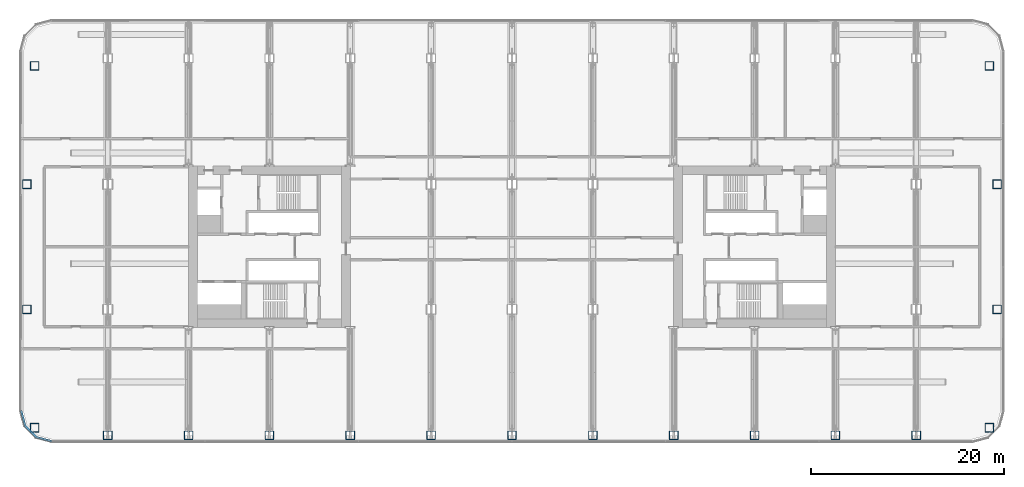
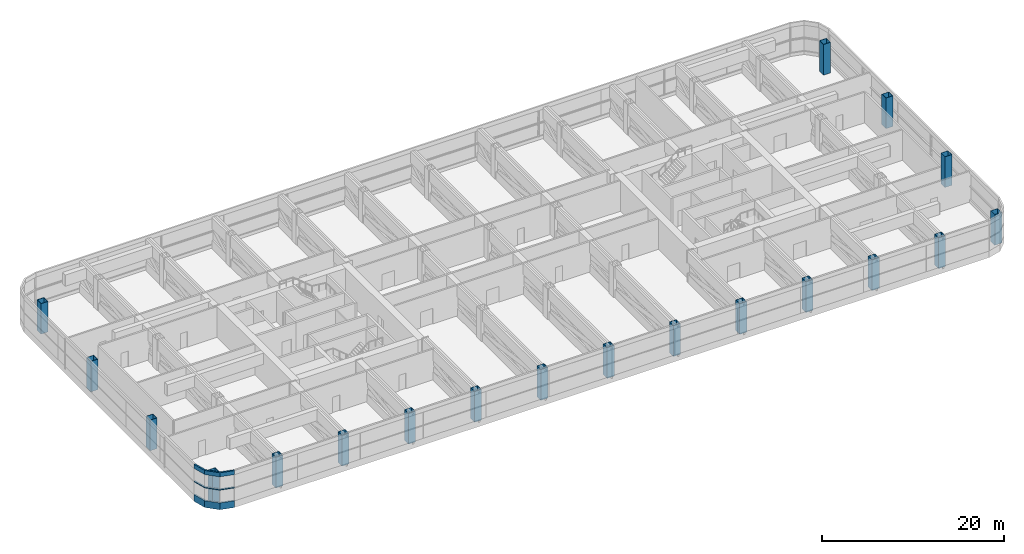
# One storey, part 1 of 30: 19 columns, 3 members, 1 element without a shape of its own.
"""IFC4 building model written with IfcOpenShell, lengths in metres."""

from ifc_helpers import new_model, si_unit, direction, frame, origin, origin_2d, place, context, subcontext, project, spatial, polyline, rectangle, hollow_rectangle, outline, extrude, material, layer, layer_set, material_profile, profile_set, type_object, element, aggregate, save


model = new_model("IFC4")

# Units and contexts
model_context = context("Model", 3, precision=1e-05, world=origin(), true_north=direction((0.0, 1.0)))
body_context = subcontext(model_context, "Body", "Model", "MODEL_VIEW")
ifc_project = project(units=[si_unit("LENGTHUNIT", "METRE"), si_unit("AREAUNIT", "SQUARE_METRE"), si_unit("VOLUMEUNIT", "CUBIC_METRE"), si_unit("PLANEANGLEUNIT", "RADIAN"), si_unit("MASSUNIT", "GRAM", prefix="KILO")], contexts=[model_context])

# Site, building, storey
site_placement = place(None, origin())
site = spatial("IfcSite", under=ifc_project, at=site_placement, CompositionType="ELEMENT")
building_placement = place(site_placement, origin())
building = spatial("IfcBuilding", under=site, at=building_placement, Name="Hakoniwa Tower and Hamabe Station Hall", CompositionType="ELEMENT")
storey_placement = place(building_placement, frame((0.0, 0.0, 64.60009765625)))
storey = spatial("IfcBuildingStorey", under=building, at=storey_placement, Name="L18", CompositionType="ELEMENT", Elevation=64.60009765625)

# Columns
ifc_material_1 = material(Name="Steel SN490C", Category="steel")
ifc_material_profile_1 = material_profile(ifc_material_1, hollow_rectangle(XDim=0.89990234375, YDim=0.89990234375, WallThickness=0.035888671875, at=origin_2d()), Name="BX-900x900x36")
ifc_profile_set_1 = profile_set([ifc_material_profile_1], Name="Steel SN490C")
column_type = type_object("IfcColumnType", Name="COLUMN BX-900x900x36", PredefinedType="COLUMN", material=ifc_profile_set_1)
for number, where, z_axis, x_axis, name in (
    (1, (-49.60302734375, -18.802978515625, 0.0), (0.0, 0.0, 1.0), (1.0, 0.0, 0.0), "Column B1-1-A1"),
    (2, (-50.39990234375, -6.5, 0.0), (0.0, 0.0, 1.0), (1.0, 0.0, 0.0), "Column B1-1-C1"),
    (3, (-50.39990234375, 6.5, 0.0), (0.0, 0.0, 1.0), (1.0, 0.0, 0.0), "Column B1-1-E1"),
    (4, (-49.60302734375, 18.802978515625, 0.0), (0.0, 0.0, 1.0), (1.0, 0.0, 0.0), "Column B1-1-G1"),
    (5, (-42.0, -19.60009765625, 0.0), (0.0, 0.0, 1.0), (1.0, 0.0, 0.0), "Column B1-2-A1"),
    (6, (-33.60009765625, -19.60009765625, 0.0), (0.0, 0.0, 1.0), (1.0, 0.0, 0.0), "Column B1-3-A1"),
    (7, (-25.199951171875, -19.60009765625, 0.0), (0.0, 0.0, 1.0), (1.0, 0.0, 0.0), "Column B1-4-A1"),
    (8, (-16.800048828125, -19.60009765625, 0.0), (0.0, 0.0, 1.0), (1.0, 0.0, 0.0), "Column B1-5-A1"),
    (9, (-8.39990234375, -19.60009765625, 0.0), (0.0, 0.0, 1.0), (1.0, 0.0, 0.0), "Column B1-6-A1"),
    (10, (0.0, -19.60009765625, 0.0), (0.0, 0.0, 1.0), (1.0, 0.0, 0.0), "Column B1-7-A1"),
    (11, (8.39990234375, -19.60009765625, 0.0), (0.0, 0.0, 1.0), (1.0, 0.0, 0.0), "Column B1-8-A1"),
    (12, (16.800048828125, -19.60009765625, 0.0), (0.0, 0.0, 1.0), (1.0, 0.0, 0.0), "Column B1-9-A1"),
    (13, (25.199951171875, -19.60009765625, 0.0), (0.0, 0.0, 1.0), (1.0, 0.0, 0.0), "Column B1-10-A1"),
    (14, (33.60009765625, -19.60009765625, 0.0), (0.0, 0.0, 1.0), (1.0, 0.0, 0.0), "Column B1-11-A1"),
    (15, (42.0, -19.60009765625, 0.0), (0.0, 0.0, 1.0), (1.0, 0.0, 0.0), "Column B1-12-A1"),
    (16, (49.60302734375, -18.802978515625, 0.0), (0.0, 0.0, 1.0), (1.0, 0.0, 0.0), "Column B1-13-A1"),
    (17, (50.39990234375, -6.5, 0.0), (0.0, 0.0, 1.0), (1.0, 0.0, 0.0), "Column B1-13-C1"),
    (18, (50.39990234375, 6.5, 0.0), (0.0, 0.0, 1.0), (1.0, 0.0, 0.0), "Column B1-13-E1"),
    (19, (49.60302734375, 18.802978515625, 0.0), (0.0, 0.0, 1.0), (1.0, 0.0, 0.0), "Column B1-13-G1"),
):
    element("IfcColumn", number, at=place(storey_placement, frame(where, z_axis=z_axis, x_axis=x_axis)), inside=storey, type_object=column_type, Name=name, PredefinedType="COLUMN", context=body_context, shape_type="SweptSolid", body=[
        extrude(hollow_rectangle(XDim=0.89990234375, YDim=0.89990234375, WallThickness=0.035888671875, at=origin_2d()), origin(), (0.0, 0.0, 1.0), 4.099853515625),
    ])

# Curtain wall, members
ifc_material_2 = material(Name="Dark low-e laminated glass", Category="glass")
ifc_layer = layer(ifc_material_2, 0.199951171875)
ifc_layer_set = layer_set([ifc_layer], Name="CW-6 PLANT LOUVRE")
curtain_wall_type = type_object("IfcCurtainWallType", Name="CW-6 PLANT LOUVRE", PredefinedType="NOTDEFINED", material=ifc_layer_set)
curtain_wall_placement = place(storey_placement, origin())
curtain_wall = element("IfcCurtainWall", 20, at=curtain_wall_placement, inside=storey, type_object=curtain_wall_type, Name="CW-6 curtain wall", PredefinedType="NOTDEFINED")
ifc_material_3 = material(Name="Aluminium 6063-T5 black anodised", Category="aluminium")
ifc_material_profile_2 = material_profile(ifc_material_3, rectangle(XDim=0.199951171875, YDim=0.550048828125, at=origin_2d()), Name="CW HEAD BAND 550X200")
ifc_profile_set_2 = profile_set([ifc_material_profile_2], Name="Aluminium 6063-T5 black anodised")
member_type_1 = type_object("IfcMemberType", Name="CW HEAD BAND 550X200", PredefinedType="USERDEFINED", material=ifc_profile_set_2)
member_1_placement = place(storey_placement, frame((0.0, 0.0, 3.849853515625)))
member_1 = element("IfcMember", 21, at=member_1_placement, type_object=member_type_1, Name="CW-6 transom", ObjectType="TRANSOM", PredefinedType="USERDEFINED", context=body_context, shape_type="SweptSolid", body=[
    extrude(outline(polyline([(-51.10009765625, -17.03955078125), (-50.6669921875, -18.6552734375), (-49.455322265625, -19.866943359375), (-47.839599609375, -20.300048828125), (-47.787841796875, -20.10693359375), (-49.351806640625, -19.687744140625), (-50.48779296875, -18.5517578125), (-50.90673828125, -16.98779296875), (-51.10009765625, -17.03955078125)])), origin(), (0.0, 0.0, 1.0), 0.550048828125),
])
ifc_material_4 = material(Name="Aluminium 6063-T5 black anodised", Category="aluminium")
ifc_material_profile_3 = material_profile(ifc_material_4, rectangle(XDim=0.199951171875, YDim=0.1201171875, at=origin_2d()), Name="CW MID TRANSOM 120X200")
ifc_profile_set_3 = profile_set([ifc_material_profile_3], Name="Aluminium 6063-T5 black anodised")
member_type_2 = type_object("IfcMemberType", Name="CW MID TRANSOM 120X200", PredefinedType="USERDEFINED", material=ifc_profile_set_3)
member_2_placement = place(storey_placement, frame((0.0, 0.0, 2.039794921875)))
member_2 = element("IfcMember", 22, at=member_2_placement, type_object=member_type_2, Name="CW-6 transom", ObjectType="TRANSOM", PredefinedType="USERDEFINED", context=body_context, shape_type="SweptSolid", body=[
    extrude(outline(polyline([(-51.10009765625, -17.03955078125), (-50.6669921875, -18.6552734375), (-49.455322265625, -19.866943359375), (-47.839599609375, -20.300048828125), (-47.787841796875, -20.10693359375), (-49.351806640625, -19.687744140625), (-50.48779296875, -18.5517578125), (-50.90673828125, -16.98779296875), (-51.10009765625, -17.03955078125)])), origin(), (0.0, 0.0, 1.0), 0.1201171875),
])
ifc_material_5 = material(Name="Aluminium 6063-T5 black anodised", Category="aluminium")
ifc_material_profile_4 = material_profile(ifc_material_5, rectangle(XDim=0.199951171875, YDim=0.89990234375, at=origin_2d()), Name="CW SLAB-EDGE BAND 900X200")
ifc_profile_set_4 = profile_set([ifc_material_profile_4], Name="Aluminium 6063-T5 black anodised")
member_type_3 = type_object("IfcMemberType", Name="CW SLAB-EDGE BAND 900X200", PredefinedType="USERDEFINED", material=ifc_profile_set_4)
member_3_placement = place(storey_placement, frame((0.0, 0.0, -0.550048828125)))
member_3 = element("IfcMember", 23, at=member_3_placement, type_object=member_type_3, Name="CW-6 transom", ObjectType="TRANSOM", PredefinedType="USERDEFINED", context=body_context, shape_type="SweptSolid", body=[
    extrude(outline(polyline([(-51.10009765625, -17.03955078125), (-50.6669921875, -18.6552734375), (-49.455322265625, -19.866943359375), (-47.839599609375, -20.300048828125), (-47.787841796875, -20.10693359375), (-49.351806640625, -19.687744140625), (-50.48779296875, -18.5517578125), (-50.90673828125, -16.98779296875), (-51.10009765625, -17.03955078125)])), origin(), (0.0, 0.0, 1.0), 0.89990234375),
])
aggregate(curtain_wall, [member_3, member_2, member_1])

save(model, "model.ifc")
